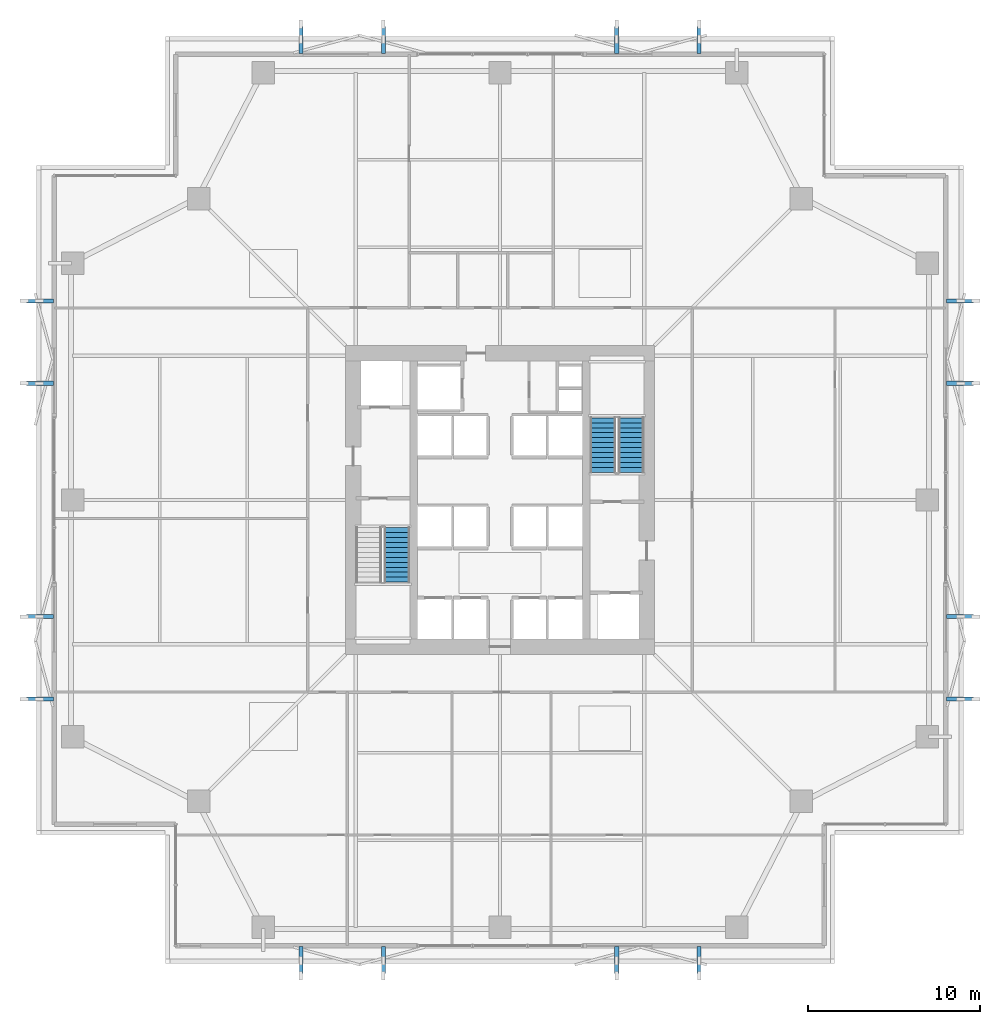
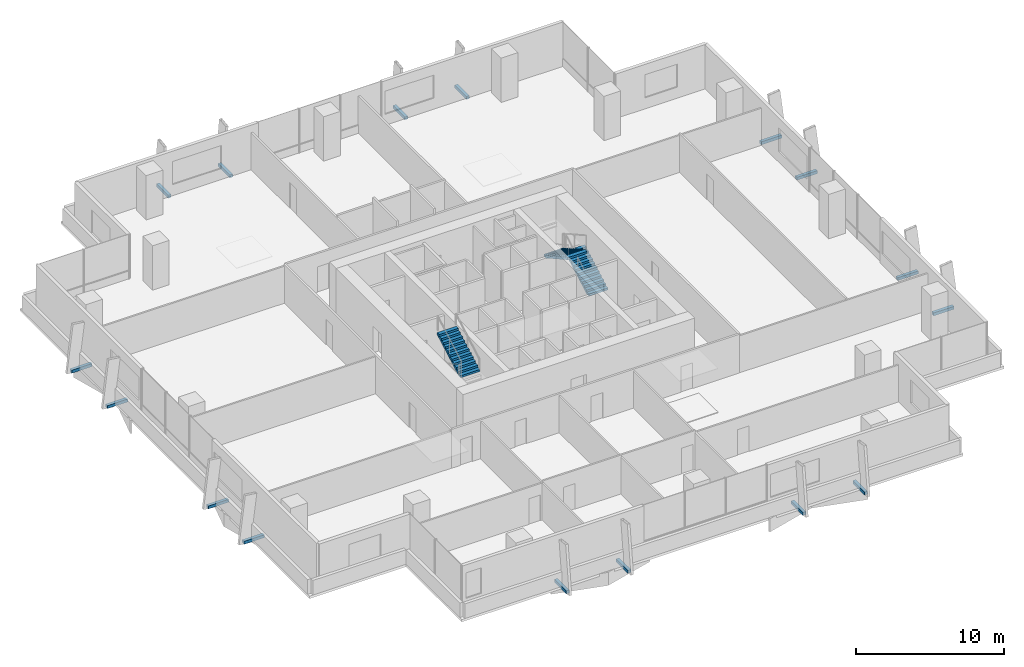
# One storey, part 33 of 34: 16 discrete accessories, 3 stair flights, 2 elements without a shape of their own.
"""IFC4 building model written with IfcOpenShell, lengths in metres."""

from ifc_helpers import new_model, si_unit, direction, frame, origin, origin_2d, place, context, subcontext, project, spatial, polyline, rectangle, outline, extrude, material, layer, layer_set, type_object, element, aggregate, save


model = new_model("IFC4")

# Units and contexts
model_context = context("Model", 3, precision=1e-05, world=origin(), true_north=direction((0.0, 1.0)))
body_context = subcontext(model_context, "Body", "Model", "MODEL_VIEW")
ifc_project = project(units=[si_unit("LENGTHUNIT", "METRE"), si_unit("AREAUNIT", "SQUARE_METRE"), si_unit("VOLUMEUNIT", "CUBIC_METRE"), si_unit("PLANEANGLEUNIT", "RADIAN"), si_unit("MASSUNIT", "GRAM", prefix="KILO")], contexts=[model_context])

# Site, building, storey
site_placement = place(None, origin())
site = spatial("IfcSite", under=ifc_project, at=site_placement, CompositionType="ELEMENT")
building_placement = place(site_placement, origin())
building = spatial("IfcBuilding", under=site, at=building_placement, Name="Belovzor Exchange Tower", CompositionType="ELEMENT")
storey_placement = place(building_placement, frame((0.0, 0.0, 113.39990234375)))
storey = spatial("IfcBuildingStorey", under=building, at=storey_placement, Name="L27", CompositionType="ELEMENT", Elevation=113.39990234375)

# Stair, stair flight
ifc_material_1 = material(Name="Concrete C40/50", Category="concrete")
stair_type = type_object("IfcStairType", Name="Reinforced Concrete Dogleg Escape Stair 1350", PredefinedType="HALF_TURN_STAIR", material=ifc_material_1)
stair_1_placement = place(storey_placement, origin())
stair_1 = element("IfcStair", 1, at=stair_1_placement, inside=storey, type_object=stair_type, Name="L27 ST-1", PredefinedType="HALF_TURN_STAIR")
ifc_material_2 = material(Name="Concrete C40/50", Category="concrete")
stair_flight_type = type_object("IfcStairFlightType", Name="Reinforced Concrete Stair Flight 1350", PredefinedType="STRAIGHT", material=ifc_material_2)
stair_flight_1_placement = place(storey_placement, frame((22.800048828125, 24.010009765625, 1.9501953125), z_axis=(0.0, 0.0, 1.0), x_axis=(0.0, 1.0, 0.0)))
stair_flight_1 = element("IfcStairFlight", 2, at=stair_flight_1_placement, type_object=stair_flight_type, Name="ST-1 flight 2", NumberOfRisers=12, NumberOfTreads=11, PredefinedType="STRAIGHT", RiserHeight=0.1625, TreadLength=0.29, context=body_context, shape_type="SweptSolid", body=[
    extrude(outline(polyline([(0.0, 0.0), (0.0, 0.16259765625), (0.2900390625, 0.16259765625), (0.2900390625, 0.324951171875), (0.580078125, 0.324951171875), (0.580078125, 0.487548828125), (0.8701171875, 0.487548828125), (0.8701171875, 0.64990234375), (1.159912109375, 0.64990234375), (1.159912109375, 0.8125), (1.449951171875, 0.8125), (1.449951171875, 0.97509765625), (1.739990234375, 0.97509765625), (1.739990234375, 1.137451171875), (2.030029296875, 1.137451171875), (2.030029296875, 1.300048828125), (2.320068359375, 1.300048828125), (2.320068359375, 1.46240234375), (2.610107421875, 1.46240234375), (2.610107421875, 1.625), (2.89990234375, 1.625), (2.89990234375, 1.78759765625), (3.18994140625, 1.78759765625), (3.18994140625, 1.949951171875), (3.18994140625, 1.61572265625), (0.306640625, 0.0), (0.0, 0.0)])), frame((0.0, 0.75, 0.0), z_axis=(0.0, -1.0, 0.0), x_axis=(1.0, 0.0, 0.0)), (0.0, 0.0, 1.0), 1.5),
])
aggregate(stair_1, [stair_flight_1])

# Stair, stair flights
stair_2_placement = place(storey_placement, origin())
stair_2 = element("IfcStair", 3, at=stair_2_placement, inside=storey, type_object=stair_type, Name="L27 ST-2", PredefinedType="HALF_TURN_STAIR")
stair_flight_2_placement = place(storey_placement, frame((36.449951171875, 30.39990234375, 0.0), z_axis=(0.0, 0.0, 1.0), x_axis=(0.0, 1.0, 0.0)))
stair_flight_2 = element("IfcStairFlight", 4, at=stair_flight_2_placement, type_object=stair_flight_type, Name="ST-2 flight 1", NumberOfRisers=12, NumberOfTreads=11, PredefinedType="STRAIGHT", RiserHeight=0.1625, TreadLength=0.29, context=body_context, shape_type="SweptSolid", body=[
    extrude(outline(polyline([(0.0, 0.0), (0.0, 0.16259765625), (0.2900390625, 0.16259765625), (0.2900390625, 0.324951171875), (0.580078125, 0.324951171875), (0.580078125, 0.487548828125), (0.8701171875, 0.487548828125), (0.8701171875, 0.64990234375), (1.159912109375, 0.64990234375), (1.159912109375, 0.8125), (1.449951171875, 0.8125), (1.449951171875, 0.97509765625), (1.739990234375, 0.97509765625), (1.739990234375, 1.137451171875), (2.030029296875, 1.137451171875), (2.030029296875, 1.300048828125), (2.320068359375, 1.300048828125), (2.320068359375, 1.46240234375), (2.610107421875, 1.46240234375), (2.610107421875, 1.625), (2.89990234375, 1.625), (2.89990234375, 1.78759765625), (3.18994140625, 1.78759765625), (3.18994140625, 1.949951171875), (3.18994140625, 1.61572265625), (0.306640625, 0.0), (0.0, 0.0)])), frame((0.0, 0.75, 0.0), z_axis=(0.0, -1.0, 0.0), x_axis=(1.0, 0.0, 0.0)), (0.0, 0.0, 1.0), 1.5),
])
stair_flight_3_placement = place(storey_placement, frame((34.800048828125, 33.590087890625, 1.9501953125), z_axis=(0.0, 0.0, 1.0), x_axis=(0.0, -1.0, 0.0)))
stair_flight_3 = element("IfcStairFlight", 5, at=stair_flight_3_placement, type_object=stair_flight_type, Name="ST-2 flight 2", NumberOfRisers=12, NumberOfTreads=11, PredefinedType="STRAIGHT", RiserHeight=0.1625, TreadLength=0.29, context=body_context, shape_type="SweptSolid", body=[
    extrude(outline(polyline([(0.0, 0.0), (0.0, 0.16259765625), (0.2900390625, 0.16259765625), (0.2900390625, 0.324951171875), (0.580078125, 0.324951171875), (0.580078125, 0.487548828125), (0.8701171875, 0.487548828125), (0.8701171875, 0.64990234375), (1.159912109375, 0.64990234375), (1.159912109375, 0.8125), (1.449951171875, 0.8125), (1.449951171875, 0.97509765625), (1.739990234375, 0.97509765625), (1.739990234375, 1.137451171875), (2.030029296875, 1.137451171875), (2.030029296875, 1.300048828125), (2.320068359375, 1.300048828125), (2.320068359375, 1.46240234375), (2.610107421875, 1.46240234375), (2.610107421875, 1.625), (2.89990234375, 1.625), (2.89990234375, 1.78759765625), (3.18994140625, 1.78759765625), (3.18994140625, 1.949951171875), (3.18994140625, 1.61572265625), (0.306640625, 0.0), (0.0, 0.0)])), frame((0.0, 0.75, 0.0), z_axis=(0.0, -1.0, 0.0), x_axis=(1.0, 0.0, 0.0)), (0.0, 0.0, 1.0), 1.5),
])
aggregate(stair_2, [stair_flight_2, stair_flight_3])

# Discrete accessories
ifc_material_3 = material(Name="Stainless Steel Grade 316", Category="steel")
ifc_layer = layer(ifc_material_3, 0.179931640625)
ifc_layer_set = layer_set([ifc_layer], Name="Stainless Steel Grade 316")
discrete_accessory_type = type_object("IfcDiscreteAccessoryType", Name="Stainless Steel Facade Outrigger Fixing Bracket", PredefinedType="BRACKET", material=ifc_layer_set)
for number, where, z_axis, x_axis, name in (
    (6, (17.199951171875, 1.987060546875, -0.2451171875), (0.0, 0.0, 1.0), (0.0, 1.0, 0.0), "BRK-FIN1 Sweeping Fin Outrigger Bracket L27 S1"),
    (7, (17.199951171875, 55.612060546875, -0.2451171875), (0.0, 0.0, 1.0), (0.0, 1.0, 0.0), "BRK-FIN1 Sweeping Fin Outrigger Bracket L27 N1"),
    (8, (1.987060546875, 17.199951171875, -0.2451171875), (0.0, 0.0, 1.0), (1.0, 0.0, 0.0), "BRK-FIN1 Sweeping Fin Outrigger Bracket L27 W1"),
    (9, (55.612060546875, 17.199951171875, -0.2451171875), (0.0, 0.0, 1.0), (1.0, 0.0, 0.0), "BRK-FIN1 Sweeping Fin Outrigger Bracket L27 E1"),
    (10, (22.0, 1.987060546875, -0.2451171875), (0.0, 0.0, 1.0), (0.0, 1.0, 0.0), "BRK-FIN1 Sweeping Fin Outrigger Bracket L27 S2"),
    (11, (22.0, 55.612060546875, -0.2451171875), (0.0, 0.0, 1.0), (0.0, 1.0, 0.0), "BRK-FIN1 Sweeping Fin Outrigger Bracket L27 N2"),
    (12, (1.987060546875, 22.0, -0.2451171875), (0.0, 0.0, 1.0), (1.0, 0.0, 0.0), "BRK-FIN1 Sweeping Fin Outrigger Bracket L27 W2"),
    (13, (55.612060546875, 22.0, -0.2451171875), (0.0, 0.0, 1.0), (1.0, 0.0, 0.0), "BRK-FIN1 Sweeping Fin Outrigger Bracket L27 E2"),
    (14, (35.60009765625, 1.987060546875, -0.2451171875), (0.0, 0.0, 1.0), (0.0, 1.0, 0.0), "BRK-FIN1 Sweeping Fin Outrigger Bracket L27 S3"),
    (15, (35.60009765625, 55.612060546875, -0.2451171875), (0.0, 0.0, 1.0), (0.0, 1.0, 0.0), "BRK-FIN1 Sweeping Fin Outrigger Bracket L27 N3"),
    (16, (1.987060546875, 35.60009765625, -0.2451171875), (0.0, 0.0, 1.0), (1.0, 0.0, 0.0), "BRK-FIN1 Sweeping Fin Outrigger Bracket L27 W3"),
    (17, (55.612060546875, 35.60009765625, -0.2451171875), (0.0, 0.0, 1.0), (1.0, 0.0, 0.0), "BRK-FIN1 Sweeping Fin Outrigger Bracket L27 E3"),
    (18, (40.39990234375, 1.987060546875, -0.2451171875), (0.0, 0.0, 1.0), (0.0, 1.0, 0.0), "BRK-FIN1 Sweeping Fin Outrigger Bracket L27 S4"),
    (19, (40.39990234375, 55.612060546875, -0.2451171875), (0.0, 0.0, 1.0), (0.0, 1.0, 0.0), "BRK-FIN1 Sweeping Fin Outrigger Bracket L27 N4"),
    (20, (1.987060546875, 40.39990234375, -0.2451171875), (0.0, 0.0, 1.0), (1.0, 0.0, 0.0), "BRK-FIN1 Sweeping Fin Outrigger Bracket L27 W4"),
    (21, (55.612060546875, 40.39990234375, -0.2451171875), (0.0, 0.0, 1.0), (1.0, 0.0, 0.0), "BRK-FIN1 Sweeping Fin Outrigger Bracket L27 E4"),
):
    element("IfcDiscreteAccessory", number, at=place(storey_placement, frame(where, z_axis=z_axis, x_axis=x_axis)), inside=storey, type_object=discrete_accessory_type, Name=name, PredefinedType="BRACKET", context=body_context, shape_type="SweptSolid", body=[
        extrude(rectangle(XDim=1.5849609375, YDim=0.239990234375, at=origin_2d()), origin(), (0.0, 0.0, 1.0), 0.239990234375),
    ])

save(model, "model.ifc")
